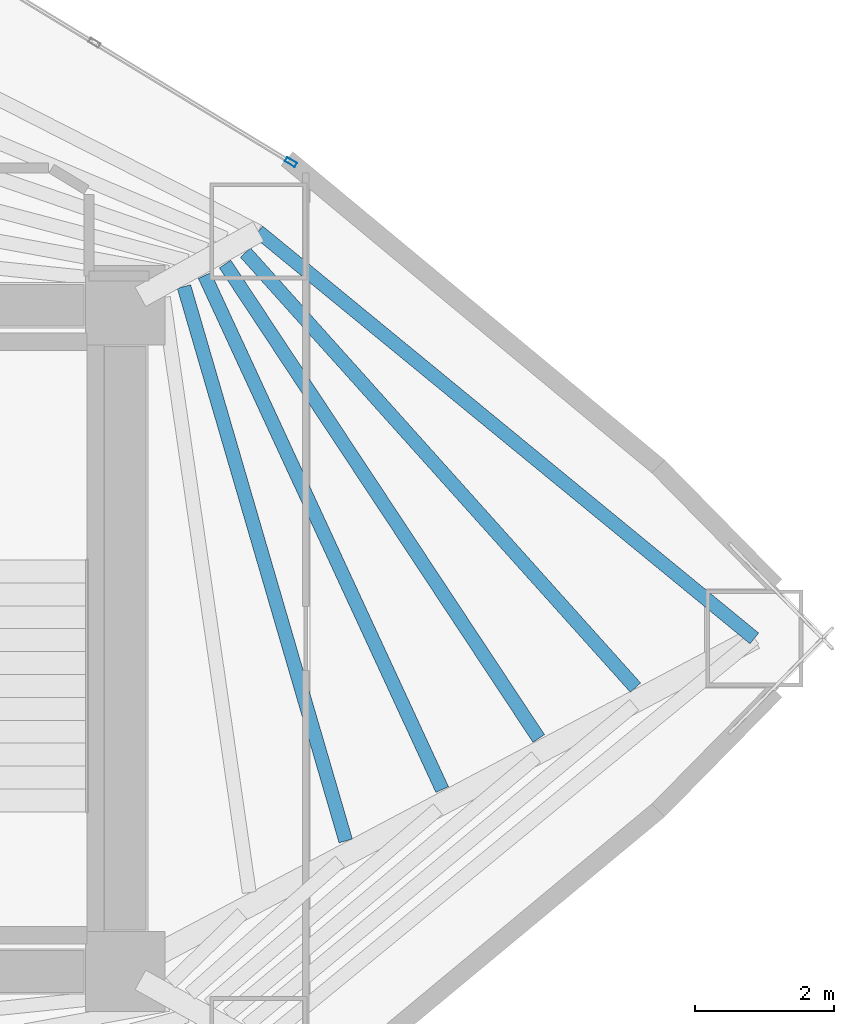
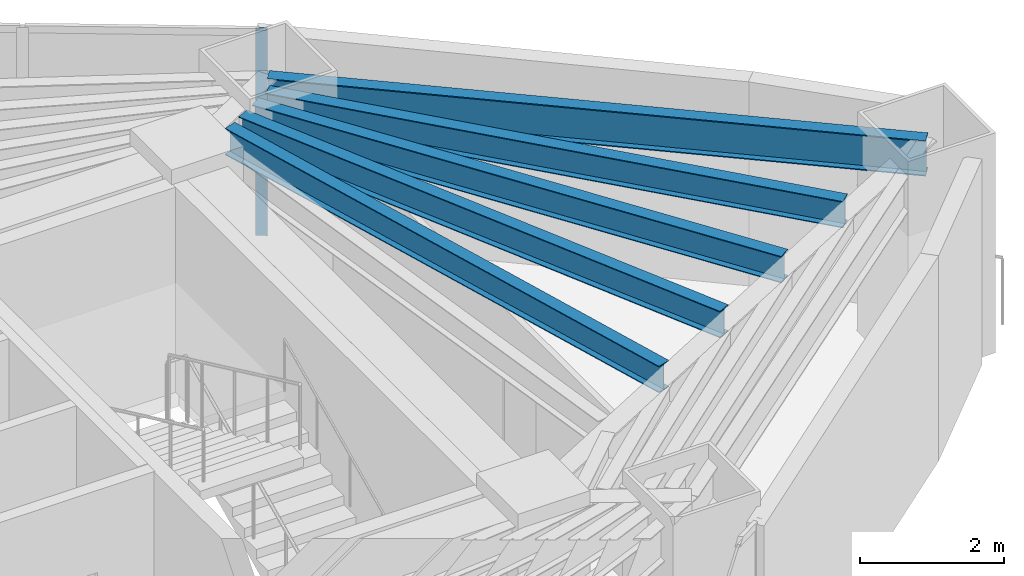
# One storey, part 11 of 17: 5 beams, 1 member, 1 element without a shape of its own.
"""IFC4 building model written with IfcOpenShell, lengths in metres."""

from ifc_helpers import new_model, si_unit, direction, frame, origin, origin_2d, place, context, subcontext, project, spatial, hollow_rectangle, i_section, extrude, material, layer, layer_set, material_profile, profile_set, type_object, element, aggregate, save


model = new_model("IFC4")

# Units and contexts
model_context = context("Model", 3, precision=1e-05, world=origin(), true_north=direction((0.0, 1.0)))
body_context = subcontext(model_context, "Body", "Model", "MODEL_VIEW")
ifc_project = project(units=[si_unit("LENGTHUNIT", "METRE"), si_unit("AREAUNIT", "SQUARE_METRE"), si_unit("VOLUMEUNIT", "CUBIC_METRE"), si_unit("PLANEANGLEUNIT", "RADIAN"), si_unit("MASSUNIT", "GRAM", prefix="KILO")], contexts=[model_context])

# Site, building, storey
site_placement = place(None, origin())
site = spatial("IfcSite", under=ifc_project, at=site_placement, CompositionType="ELEMENT")
building_placement = place(site_placement, origin())
building = spatial("IfcBuilding", under=site, at=building_placement, Name="Menara Vayukalpa", CompositionType="ELEMENT")
storey_placement = place(building_placement, frame((0.0, 0.0, 49.919921875)))
storey = spatial("IfcBuildingStorey", under=building, at=storey_placement, Name="L11", CompositionType="ELEMENT", Elevation=49.919921875)

# Beams
ifc_material_1 = material(Name="Steel S355", Category="steel")
ifc_material_profile_1 = material_profile(ifc_material_1, i_section(OverallWidth=0.199951171875, OverallDepth=0.449951171875, WebThickness=0.009033203125, FlangeThickness=0.013916015625, at=origin_2d()), Name="WF 450x200x9x14")
ifc_profile_set_1 = profile_set([ifc_material_profile_1], Name="Steel S355")
beam_type_1 = type_object("IfcBeamType", Name="BM-SJ1", PredefinedType="JOIST", material=ifc_profile_set_1)
beam_1_placement = place(storey_placement, frame((36.577392578125, 19.08203125, 3.2451171875), z_axis=(-0.280127331343, 0.959962852528, 0.0), x_axis=(-0.959962852528, -0.280127331343, 0.0)))
element("IfcBeam", 1, at=beam_1_placement, inside=storey, type_object=beam_type_1, Name="L11 Secondary Floor Joist SJ01-2", PredefinedType="JOIST", context=body_context, shape_type="SweptSolid", body=[
    extrude(i_section(OverallWidth=0.199951171875, OverallDepth=0.449951171875, WebThickness=0.009033203125, FlangeThickness=0.013916015625, at=origin_2d()), origin(), (0.0, 0.0, 1.0), 8.319580078125),
])
beam_2_placement = place(storey_placement, frame((37.96728515625, 19.822021484375, 3.2451171875), z_axis=(-0.419547647921, 0.907733314979, 0.0), x_axis=(-0.907733314979, -0.419547647921, 0.0)))
element("IfcBeam", 2, at=beam_2_placement, inside=storey, type_object=beam_type_1, Name="L11 Secondary Floor Joist SJ01-3", PredefinedType="JOIST", context=body_context, shape_type="SweptSolid", body=[
    extrude(i_section(OverallWidth=0.199951171875, OverallDepth=0.449951171875, WebThickness=0.009033203125, FlangeThickness=0.013916015625, at=origin_2d()), origin(), (0.0, 0.0, 1.0), 8.15966796875),
])
beam_3_placement = place(storey_placement, frame((39.358642578125, 20.557861328125, 3.2451171875), z_axis=(-0.551519467329, 0.834162020927, 0.0), x_axis=(-0.834162020927, -0.551519467329, 0.0)))
element("IfcBeam", 3, at=beam_3_placement, inside=storey, type_object=beam_type_1, Name="L11 Secondary Floor Joist SJ01-4", PredefinedType="JOIST", context=body_context, shape_type="SweptSolid", body=[
    extrude(i_section(OverallWidth=0.199951171875, OverallDepth=0.449951171875, WebThickness=0.009033203125, FlangeThickness=0.013916015625, at=origin_2d()), origin(), (0.0, 0.0, 1.0), 8.19384765625),
])
beam_4_placement = place(storey_placement, frame((40.752685546875, 21.291015625, 3.2451171875), z_axis=(-0.667563308959, 0.744553039435, 0.0), x_axis=(-0.744553039435, -0.667563308959, 0.0)))
element("IfcBeam", 4, at=beam_4_placement, inside=storey, type_object=beam_type_1, Name="L11 Secondary Floor Joist SJ01-5", PredefinedType="JOIST", context=body_context, shape_type="SweptSolid", body=[
    extrude(i_section(OverallWidth=0.199951171875, OverallDepth=0.449951171875, WebThickness=0.009033203125, FlangeThickness=0.013916015625, at=origin_2d()), origin(), (0.0, 0.0, 1.0), 8.419189453125),
])
ifc_material_2 = material(Name="Steel S355", Category="steel")
ifc_material_profile_2 = material_profile(ifc_material_2, i_section(OverallWidth=0.199951171875, OverallDepth=0.60009765625, WebThickness=0.010986328125, FlangeThickness=0.01708984375, at=origin_2d()), Name="WF 600x200x11x17")
ifc_profile_set_2 = profile_set([ifc_material_profile_2], Name="Steel S355")
beam_type_2 = type_object("IfcBeamType", Name="BM-SP1", PredefinedType="SPANDREL", material=ifc_profile_set_2)
beam_5_placement = place(storey_placement, frame((42.46484375, 22.0, 3.170166015625), z_axis=(-0.773110561587, 0.63427128231, 0.0), x_axis=(-0.63427128231, -0.773110561587, 0.0)))
element("IfcBeam", 5, at=beam_5_placement, inside=storey, type_object=beam_type_2, Name="L11 Perimeter Spandrel Beam SP01", PredefinedType="SPANDREL", context=body_context, shape_type="SweptSolid", body=[
    extrude(i_section(OverallWidth=0.199951171875, OverallDepth=0.60009765625, WebThickness=0.010986328125, FlangeThickness=0.01708984375, at=origin_2d()), origin(), (0.0, 0.0, 1.0), 9.244140625),
])

# Curtain wall, member
ifc_material_3 = material(Name="Anodised Terracotta Aluminium Alloy 6063-T6", Category="masonry")
ifc_layer = layer(ifc_material_3, 0.1650390625)
ifc_layer_set = layer_set([ifc_layer], Name="Anodised Terracotta Aluminium Alloy 6063-T6")
curtain_wall_type = type_object("IfcCurtainWallType", Name="CW-CW2", PredefinedType="USERDEFINED", material=ifc_layer_set)
curtain_wall_placement = place(storey_placement, origin())
curtain_wall = element("IfcCurtainWall", 6, at=curtain_wall_placement, inside=storey, type_object=curtain_wall_type, Name="L11 Low Rise Terracotta Ribbon Curtain Wall CW2 04", ObjectType="UNITISED", PredefinedType="USERDEFINED")
ifc_material_4 = material(Name="Anodised Terracotta Aluminium Alloy 6063-T6", Category="masonry")
ifc_material_profile_3 = material_profile(ifc_material_4, hollow_rectangle(XDim=0.070068359375, YDim=0.1650390625, WallThickness=0.00390625, at=origin_2d()), Name="ALU 70x165x4")
ifc_profile_set_3 = profile_set([ifc_material_profile_3], Name="Anodised Terracotta Aluminium Alloy 6063-T6")
member_type = type_object("IfcMemberType", Name="CWM-CW2", PredefinedType="MULLION", material=ifc_profile_set_3)
member_placement = place(storey_placement, frame((35.787353515625, 28.861572265625, 0.0), z_axis=(0.0, 0.0, 1.0), x_axis=(-0.519181964377, -0.854663727945, 0.0)))
member = element("IfcMember", 7, at=member_placement, type_object=member_type, Name="CW2 mullion 1", PredefinedType="MULLION", context=body_context, shape_type="SweptSolid", body=[
    extrude(hollow_rectangle(XDim=0.070068359375, YDim=0.1650390625, WallThickness=0.00390625, at=origin_2d()), origin(), (0.0, 0.0, 1.0), 3.469970703125),
])
aggregate(curtain_wall, [member])

save(model, "model.ifc")
